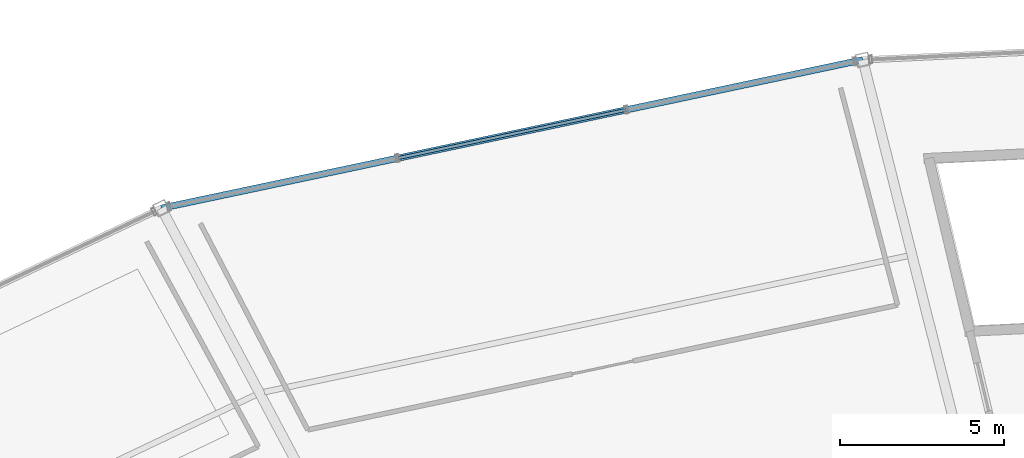
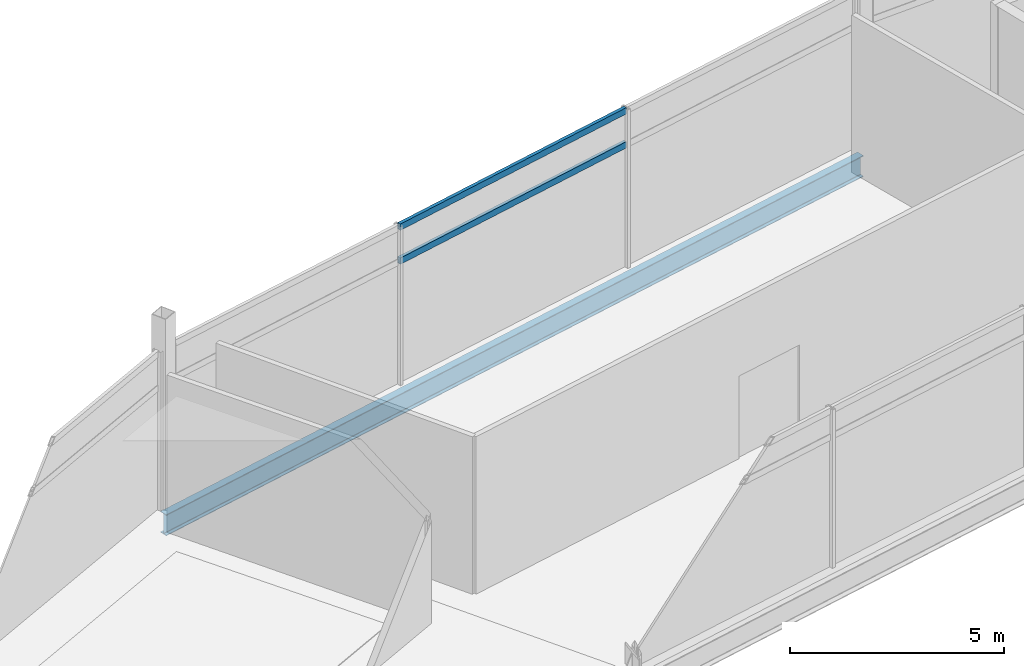
# One storey, part 56 of 86: 2 members, 1 beam, 1 element without a shape of its own.
"""IFC4 building model written with IfcOpenShell, lengths in metres."""

from ifc_helpers import new_model, si_unit, direction, frame, origin, origin_2d, place, context, subcontext, project, spatial, hollow_rectangle, i_section, extrude, material, layer, layer_set, material_profile, profile_set, type_object, element, aggregate, save


model = new_model("IFC4")

# Units and contexts
model_context = context("Model", 3, precision=1e-05, world=origin(), true_north=direction((0.0, 1.0)))
body_context = subcontext(model_context, "Body", "Model", "MODEL_VIEW")
ifc_project = project(units=[si_unit("LENGTHUNIT", "METRE"), si_unit("AREAUNIT", "SQUARE_METRE"), si_unit("VOLUMEUNIT", "CUBIC_METRE"), si_unit("PLANEANGLEUNIT", "RADIAN"), si_unit("MASSUNIT", "GRAM", prefix="KILO")], contexts=[model_context])

# Site, building, storey
site_placement = place(None, origin())
site = spatial("IfcSite", under=ifc_project, at=site_placement, CompositionType="ELEMENT")
building_placement = place(site_placement, origin())
building = spatial("IfcBuilding", under=site, at=building_placement, Name="Kazemori Nagisa Stadium", CompositionType="ELEMENT")
storey_placement = place(building_placement, frame((0.0, 0.0, 31.280029296875)))
storey = spatial("IfcBuildingStorey", under=building, at=storey_placement, Name="L06", CompositionType="ELEMENT", Elevation=31.280029296875)

# Beam
ifc_material_1 = material(Name="Steel SN490B", Category="steel")
ifc_material_profile_1 = material_profile(ifc_material_1, i_section(OverallWidth=0.199951171875, OverallDepth=0.60009765625, WebThickness=0.010986328125, FlangeThickness=0.01708984375, FilletRadius=0.012939453125, at=origin_2d()), Name="H-600x200x11x17")
ifc_profile_set_1 = profile_set([ifc_material_profile_1], Name="Steel SN490B")
beam_type = type_object("IfcBeamType", Name="Beam_BS-H600", PredefinedType="SPANDREL", material=ifc_profile_set_1)
beam_placement = place(storey_placement, frame((101.572265625, 186.98681640625, -0.56005859375), z_axis=(-0.97834587432, -0.206976689994, 0.0), x_axis=(0.206976689994, -0.97834587432, 0.0)))
element("IfcBeam", 1, at=beam_placement, inside=storey, type_object=beam_type, Name="Ring girder BS-H600 L06 R3-09", PredefinedType="SPANDREL", context=body_context, shape_type="SweptSolid", body=[
    extrude(i_section(OverallWidth=0.199951171875, OverallDepth=0.60009765625, WebThickness=0.010986328125, FlangeThickness=0.01708984375, FilletRadius=0.012939453125, at=origin_2d()), origin(), (0.0, 0.0, 1.0), 21.85009765625),
])

# Curtain wall, members
ifc_material_2 = material(Name="Anodised aluminium 6063-T5", Category="aluminium")
ifc_layer = layer(ifc_material_2, 0.239990234375, Name="Anodised aluminium 6063-T5", Category="aluminium")
ifc_layer_set = layer_set([ifc_layer], Name="Anodised aluminium 6063-T5")
curtain_wall_type = type_object("IfcCurtainWallType", Name="CW_L06R3_107", PredefinedType="USERDEFINED", material=ifc_layer_set)
curtain_wall_placement = place(storey_placement, origin())
curtain_wall = element("IfcCurtainWall", 2, at=curtain_wall_placement, inside=storey, type_object=curtain_wall_type, Name="Unitised curtain wall CW-L06R3-107 L06", ObjectType="UNITISED CURTAIN WALL", PredefinedType="USERDEFINED")
ifc_material_3 = material(Name="Aluminium 6063-T5 anodised", Category="aluminium")
ifc_material_profile_2 = material_profile(ifc_material_3, hollow_rectangle(XDim=0.090087890625, YDim=0.179931640625, WallThickness=0.0048828125, at=origin_2d()), Name="ALU-TRAN-90x180x5")
ifc_profile_set_2 = profile_set([ifc_material_profile_2], Name="Aluminium 6063-T5 anodised")
member_type = type_object("IfcMemberType", Name="Transom_T03", PredefinedType="USERDEFINED", material=ifc_profile_set_2)
member_1_placement = place(storey_placement, frame((94.350341796875, 185.458984375, 3.47265625), z_axis=(-0.978344605267, -0.206982688515, 0.0), x_axis=(0.206982688515, -0.978344605267, 0.0)))
member_1 = element("IfcMember", 3, at=member_1_placement, type_object=member_type, Name="Curtain wall transom CW-L06R3-107-T2-mid", ObjectType="TRANSOM", PredefinedType="USERDEFINED", context=body_context, shape_type="SweptSolid", body=[
    extrude(hollow_rectangle(XDim=0.090087890625, YDim=0.179931640625, WallThickness=0.0048828125, at=origin_2d()), origin(), (0.0, 0.0, 1.0), 7.086669921875),
])
member_2_placement = place(storey_placement, frame((94.350341796875, 185.458984375, 4.43994140625), z_axis=(-0.978344605267, -0.206982688515, 0.0), x_axis=(0.206982688515, -0.978344605267, 0.0)))
member_2 = element("IfcMember", 4, at=member_2_placement, type_object=member_type, Name="Curtain wall transom CW-L06R3-107-T2-head", ObjectType="TRANSOM", PredefinedType="USERDEFINED", context=body_context, shape_type="SweptSolid", body=[
    extrude(hollow_rectangle(XDim=0.090087890625, YDim=0.179931640625, WallThickness=0.0048828125, at=origin_2d()), origin(), (0.0, 0.0, 1.0), 7.086669921875),
])
aggregate(curtain_wall, [member_1, member_2])

save(model, "model.ifc")
